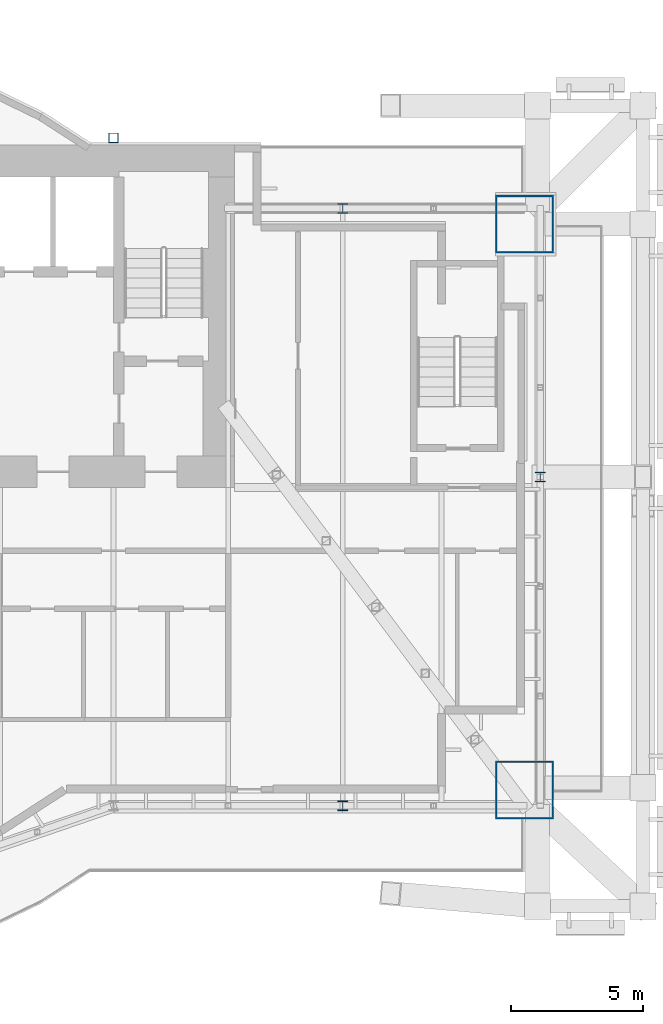
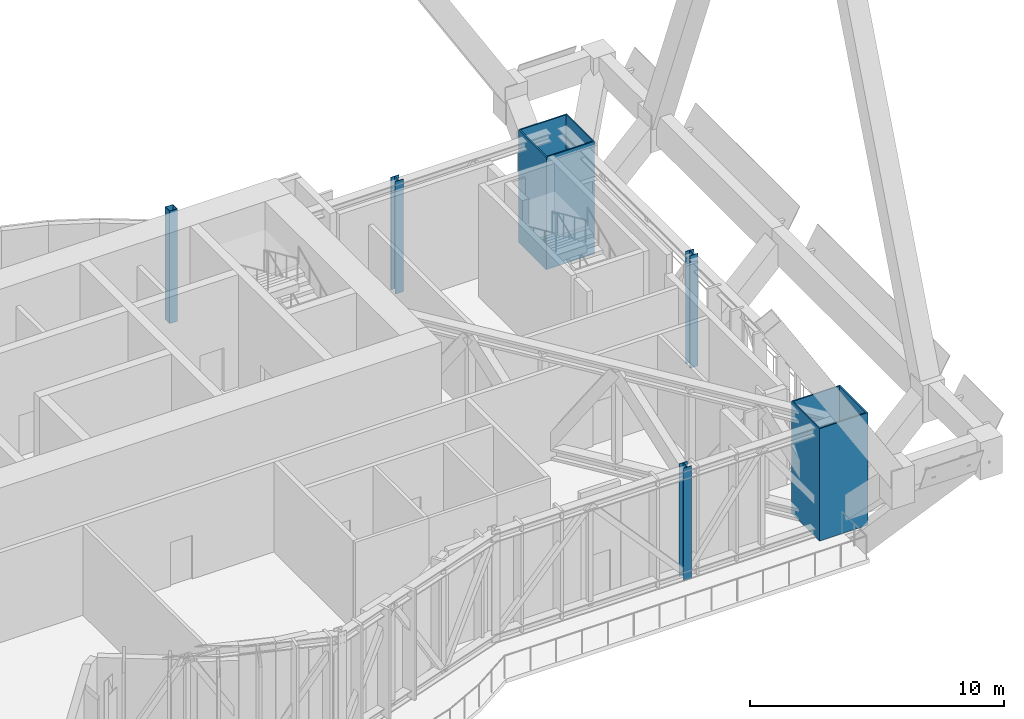
# One storey, part 4 of 30: 6 columns.
"""IFC4 building model written with IfcOpenShell, lengths in metres."""

from ifc_helpers import new_model, si_unit, direction, frame, origin, origin_2d, place, context, subcontext, project, spatial, hollow_rectangle, i_section, extrude, material, material_profile, profile_set, type_object, element, save


model = new_model("IFC4")

# Units and contexts
model_context = context("Model", 3, precision=1e-05, world=origin(), true_north=direction((0.0, 1.0)))
body_context = subcontext(model_context, "Body", "Model", "MODEL_VIEW")
ifc_project = project(units=[si_unit("LENGTHUNIT", "METRE"), si_unit("AREAUNIT", "SQUARE_METRE"), si_unit("VOLUMEUNIT", "CUBIC_METRE"), si_unit("PLANEANGLEUNIT", "RADIAN"), si_unit("MASSUNIT", "GRAM", prefix="KILO")], contexts=[model_context])

# Site, building, storey
site_placement = place(None, origin())
site = spatial("IfcSite", under=ifc_project, at=site_placement, CompositionType="ELEMENT")
building_placement = place(site_placement, origin())
building = spatial("IfcBuilding", under=site, at=building_placement, Name="Bicima Exchange Tower", CompositionType="ELEMENT")
storey_placement = place(building_placement, frame((0.0, 0.0, 287.60009765625)))
storey = spatial("IfcBuildingStorey", under=building, at=storey_placement, Name="L65", CompositionType="ELEMENT", Elevation=287.60009765625)

# Columns
ifc_material_1 = material(Name="Steel ASTM A572 Gr 50", Category="steel")
ifc_material_profile_1 = material_profile(ifc_material_1, hollow_rectangle(XDim=2.199951171875, YDim=2.199951171875, WallThickness=0.06005859375, at=origin_2d()))
ifc_profile_set_1 = profile_set([ifc_material_profile_1], Name="Steel ASTM A572 Gr 50")
column_type_1 = type_object("IfcColumnType", Name="Mega column BOX 2200x2200x60", PredefinedType="COLUMN", material=ifc_profile_set_1)
for number, where, z_axis, x_axis, name in (
    (1, (33.0, -24.48193359375, 0.0), (0.0, 0.0, 1.0), (1.0, 0.0, 0.0), "Mega column mega+33.0f"),
    (2, (33.0, -3.0, 0.0), (0.0, 0.0, 1.0), (1.0, 0.0, 0.0), "Mega column mega+33.0r"),
):
    element("IfcColumn", number, at=place(storey_placement, frame(where, z_axis=z_axis, x_axis=x_axis)), inside=storey, type_object=column_type_1, Name=name, PredefinedType="COLUMN", context=body_context, shape_type="SweptSolid", body=[
        extrude(hollow_rectangle(XDim=2.199951171875, YDim=2.199951171875, WallThickness=0.06005859375, at=origin_2d()), origin(), (0.0, 0.0, 1.0), 5.39990234375),
    ])
ifc_material_2 = material(Name="Steel ASTM A992 Gr 50", Category="steel")
ifc_material_profile_2 = material_profile(ifc_material_2, i_section(OverallWidth=0.370849609375, OverallDepth=0.36328125, WebThickness=0.013427734375, FlangeThickness=0.021728515625, at=origin_2d()))
ifc_profile_set_2 = profile_set([ifc_material_profile_2], Name="Steel ASTM A992 Gr 50")
column_type_2 = type_object("IfcColumnType", Name="Perimeter column W14x109", PredefinedType="COLUMN", material=ifc_profile_set_2)
for number, where, z_axis, x_axis, name in (
    (3, (26.10009765625, -25.08203125, 0.0), (0.0, 0.0, 1.0), (1.0, 0.0, 0.0), "Perimeter column grav+26.1f"),
    (4, (26.10009765625, -2.39990234375, 0.0), (0.0, 0.0, 1.0), (1.0, 0.0, 0.0), "Perimeter column grav+26.1r"),
    (5, (33.60009765625, -12.60009765625, 0.0), (0.0, 0.0, 1.0), (1.0, 0.0, 0.0), "End column end+33.6e"),
):
    element("IfcColumn", number, at=place(storey_placement, frame(where, z_axis=z_axis, x_axis=x_axis)), inside=storey, type_object=column_type_2, Name=name, PredefinedType="COLUMN", context=body_context, shape_type="SweptSolid", body=[
        extrude(i_section(OverallWidth=0.370849609375, OverallDepth=0.36328125, WebThickness=0.013427734375, FlangeThickness=0.021728515625, at=origin_2d()), origin(), (0.0, 0.0, 1.0), 5.39990234375),
    ])
ifc_material_profile_3 = material_profile(ifc_material_1, hollow_rectangle(XDim=0.355712890625, YDim=0.355712890625, WallThickness=0.01171875, at=origin_2d()))
ifc_profile_set_3 = profile_set([ifc_material_profile_3], Name="Steel ASTM A572 Gr 50")
column_type_3 = type_object("IfcColumnType", Name="Rear pilaster HSS14x14x1/2", PredefinedType="COLUMN", material=ifc_profile_set_3)
column_placement = place(storey_placement, frame((17.39990234375, 0.278076171875, 0.0), z_axis=(0.0, 0.0, 1.0), x_axis=(1.0, 0.0, 0.0)))
element("IfcColumn", 6, at=column_placement, inside=storey, type_object=column_type_3, Name="Rear pilaster rexo+17.4r", PredefinedType="COLUMN", context=body_context, shape_type="SweptSolid", body=[
    extrude(hollow_rectangle(XDim=0.355712890625, YDim=0.355712890625, WallThickness=0.01171875, at=origin_2d()), origin(), (0.0, 0.0, 1.0), 5.39990234375),
])

save(model, "model.ifc")
